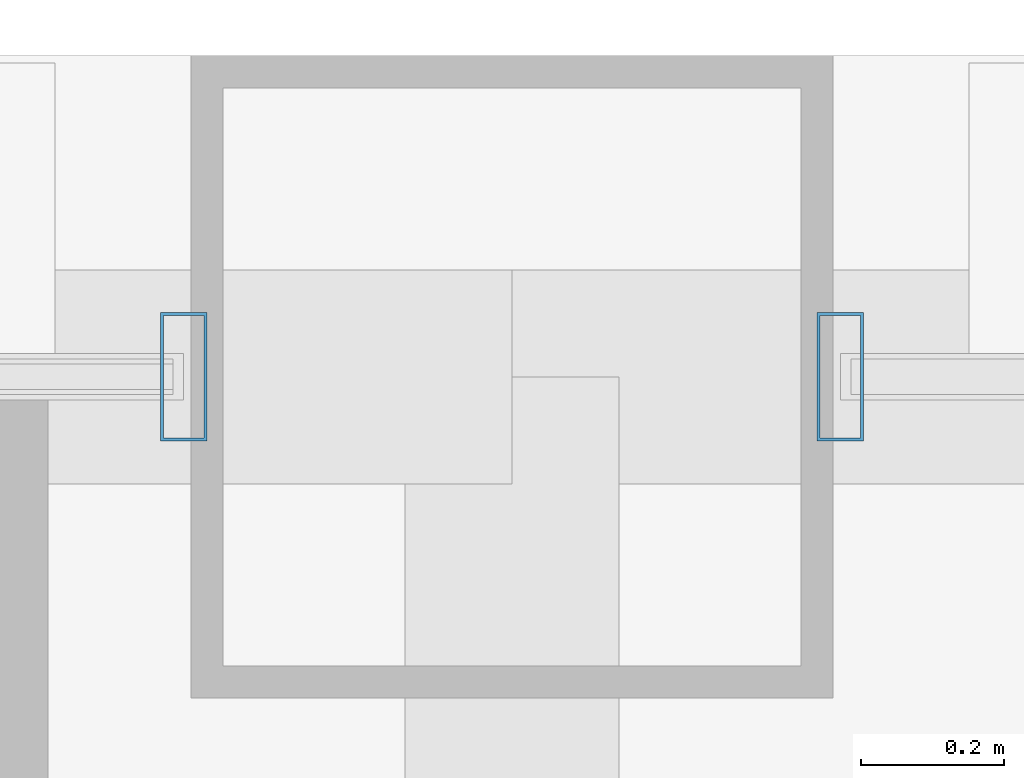
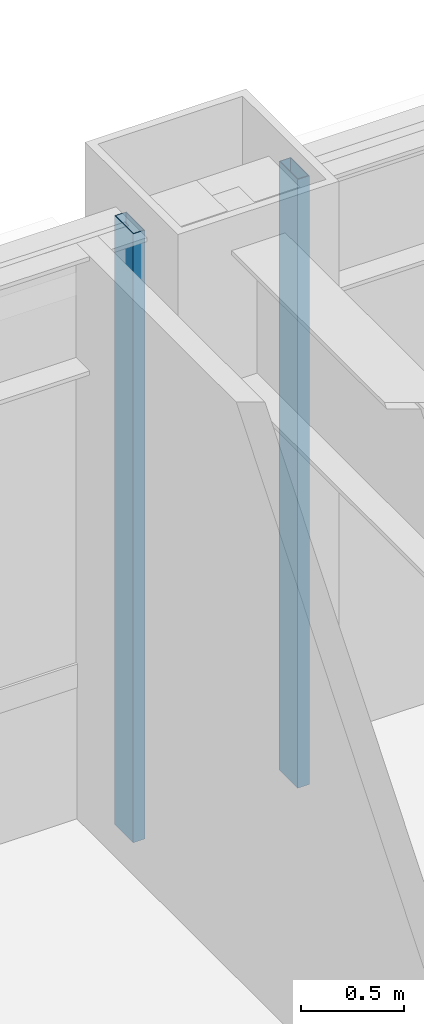
# One storey, part 19 of 30: 2 members, 2 elements without a shape of their own.
"""IFC4 building model written with IfcOpenShell, lengths in metres."""

from ifc_helpers import new_model, si_unit, direction, frame, origin, origin_2d, place, context, subcontext, project, spatial, hollow_rectangle, extrude, material, layer, layer_set, material_profile, profile_set, type_object, element, aggregate, save


model = new_model("IFC4")

# Units and contexts
model_context = context("Model", 3, precision=1e-05, world=origin(), true_north=direction((0.0, 1.0)))
body_context = subcontext(model_context, "Body", "Model", "MODEL_VIEW")
ifc_project = project(units=[si_unit("LENGTHUNIT", "METRE"), si_unit("AREAUNIT", "SQUARE_METRE"), si_unit("VOLUMEUNIT", "CUBIC_METRE"), si_unit("PLANEANGLEUNIT", "RADIAN"), si_unit("MASSUNIT", "GRAM", prefix="KILO")], contexts=[model_context])

# Site, building, storey
site_placement = place(None, origin())
site = spatial("IfcSite", under=ifc_project, at=site_placement, CompositionType="ELEMENT")
building_placement = place(site_placement, origin())
building = spatial("IfcBuilding", under=site, at=building_placement, Name="Brelmoor Portico Tower", CompositionType="ELEMENT")
storey_placement = place(building_placement, frame((0.0, 0.0, 74.39990234375)))
storey = spatial("IfcBuildingStorey", under=building, at=storey_placement, Name="L19", CompositionType="ELEMENT", Elevation=74.39990234375)

# Curtain wall, member
ifc_material = material(Name="Anodised Aluminium Alloy 6063-T6", Category="aluminium")
ifc_layer_1 = layer(ifc_material, 0.179931640625)
ifc_layer_set_1 = layer_set([ifc_layer_1], Name="Anodised Aluminium Alloy 6063-T6")
curtain_wall_type_1 = type_object("IfcCurtainWallType", Name="CW-TOWER-Z1", PredefinedType="NOTDEFINED", material=ifc_layer_set_1)
curtain_wall_1_placement = place(storey_placement, origin())
curtain_wall_1 = element("IfcCurtainWall", 1, at=curtain_wall_1_placement, inside=storey, type_object=curtain_wall_type_1, Name="L19 Curtain Wall CW-L19-02-2", PredefinedType="NOTDEFINED")
ifc_material_profile = material_profile(ifc_material, hollow_rectangle(XDim=0.06494140625, YDim=0.179931640625, WallThickness=0.00390625, at=origin_2d()), Name="ALU MULLION 65x180")
ifc_profile_set = profile_set([ifc_material_profile], Name="Anodised Aluminium Alloy 6063-T6")
member_type = type_object("IfcMemberType", Name="MB-CW-MULL-180", PredefinedType="MULLION", material=ifc_profile_set)
member_1_placement = place(storey_placement, frame((-8.510009765625, 21.550048828125, -0.199951171875), z_axis=(0.0, 0.0, 1.0), x_axis=(1.0, 0.0, 0.0)))
member_1 = element("IfcMember", 2, at=member_1_placement, type_object=member_type, Name="CW-L19-02-2 Mullion 01", PredefinedType="MULLION", context=body_context, shape_type="SweptSolid", body=[
    extrude(hollow_rectangle(XDim=0.06494140625, YDim=0.179931640625, WallThickness=0.00390625, at=origin_2d()), origin(), (0.0, 0.0, 1.0), 3.60009765625),
])
aggregate(curtain_wall_1, [member_1])

ifc_layer_2 = layer(ifc_material, 0.179931640625)
ifc_layer_set_2 = layer_set([ifc_layer_2], Name="Anodised Aluminium Alloy 6063-T6")
curtain_wall_type_2 = type_object("IfcCurtainWallType", Name="CW-TOWER-Z1-XB", PredefinedType="NOTDEFINED", material=ifc_layer_set_2)
curtain_wall_2_placement = place(storey_placement, origin())
curtain_wall_2 = element("IfcCurtainWall", 3, at=curtain_wall_2_placement, inside=storey, type_object=curtain_wall_type_2, Name="L19 Curtain Wall CW-L19-02-3", PredefinedType="NOTDEFINED")
member_2_placement = place(storey_placement, frame((-7.590087890625, 21.550048828125, -0.199951171875), z_axis=(0.0, 0.0, 1.0), x_axis=(1.0, 0.0, 0.0)))
member_2 = element("IfcMember", 4, at=member_2_placement, type_object=member_type, Name="CW-L19-02-3 Mullion 00", PredefinedType="MULLION", context=body_context, shape_type="SweptSolid", body=[
    extrude(hollow_rectangle(XDim=0.06494140625, YDim=0.179931640625, WallThickness=0.00390625, at=origin_2d()), origin(), (0.0, 0.0, 1.0), 3.60009765625),
])
aggregate(curtain_wall_2, [member_2])

save(model, "model.ifc")
